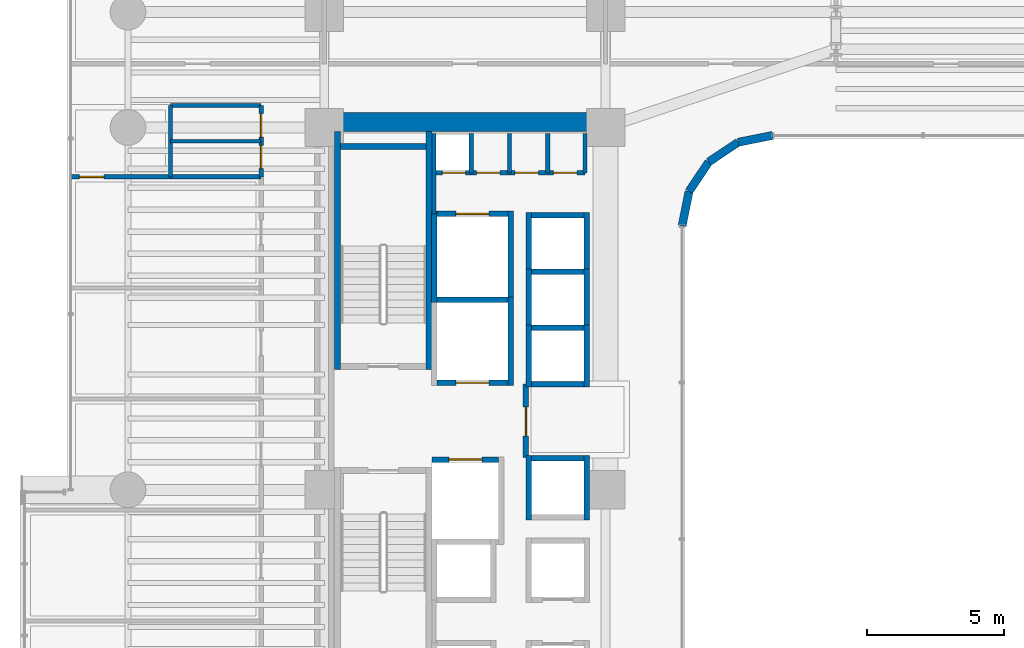
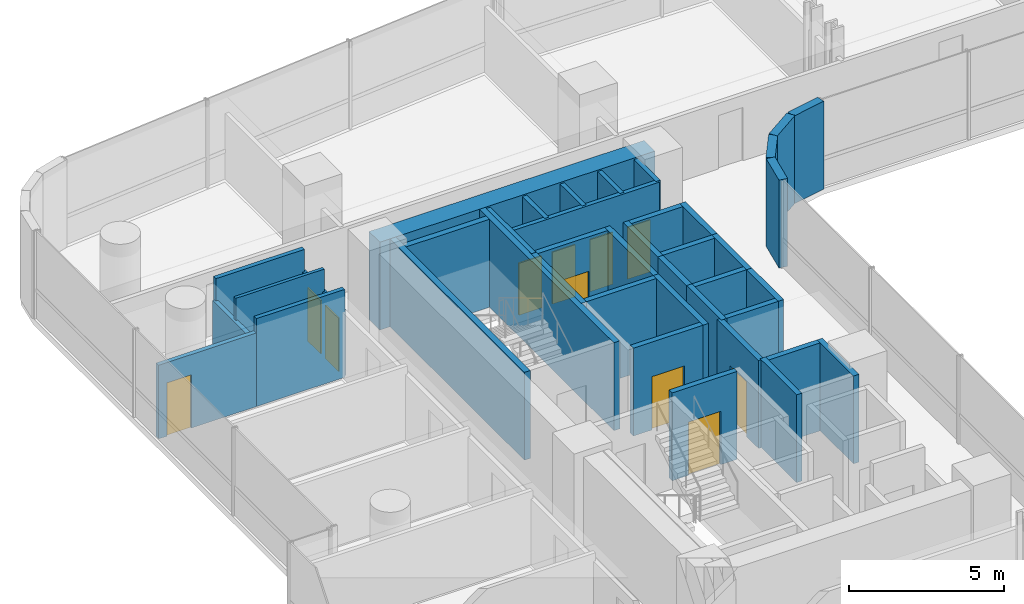
# One storey, part 31 of 39: 41 walls, 11 doors, 11 openings.
"""IFC4 building model written with IfcOpenShell, lengths in metres."""

import ifcopenshell
import ifcopenshell.guid

model = None  # the IFC model being written
_history = None  # IfcOwnerHistory: only IFC2X3 demands one
_inside = {}  # id of a spatial element -> (the spatial element, [elements in it])
_under = {}  # id of a project, library or spatial element -> (it, [spatial elements below it])
_declared = {}  # id of a project -> (the project, [libraries it declares])
_typed = {}  # id of a type object -> (the type object, [elements of that type])
_made_of = {}  # id of a material, layer set ... -> (it, [elements and type objects made of it])


def new_model(schema):
    """Start an empty IFC model of exactly this schema.

    Asked for "IFC4X3", IfcOpenShell would pick the latest addendum, in which some entities
    have other attributes; the version numbers below select the first issue.
    IFC2X3 requires an IfcOwnerHistory on every rooted entity: one is made here for all.
    """
    global model, _history
    if schema == "IFC4X3":
        model = ifcopenshell.file(schema_version=(4, 3, 0, 0))
    else:
        model = ifcopenshell.file(schema=schema)
    _inside.clear()
    _under.clear()
    _declared.clear()
    _typed.clear()
    _made_of.clear()
    _history = None
    if model.schema == "IFC2X3":
        org = make("IfcOrganization", Name="unknown")
        user = make(
            "IfcPersonAndOrganization",
            ThePerson=make("IfcPerson", FamilyName="unknown"),
            TheOrganization=org,
        )
        app = make(
            "IfcApplication",
            ApplicationDeveloper=org,
            Version="unknown",
            ApplicationFullName="unknown",
            ApplicationIdentifier="unknown",
        )
        _history = make(
            "IfcOwnerHistory",
            OwningUser=user,
            OwningApplication=app,
            ChangeAction="ADDED",
            CreationDate=0,
        )
    return model


def make(cls, **values):
    """One entity of the class cls with the attributes given. An attribute that is None is left unset."""
    return model.create_entity(
        cls, **{name: value for name, value in values.items() if value is not None}
    )


def rooted(cls, **values):
    """An entity with a GlobalId (a new one), such as an element, a storey or a relation."""
    return make(cls, GlobalId=ifcopenshell.guid.new(), OwnerHistory=_history, **values)


def si_unit(unit_type, name, prefix=None):
    """IfcSIUnit, for example si_unit("LENGTHUNIT", "METRE", prefix="MILLI")."""
    return make("IfcSIUnit", UnitType=unit_type, Prefix=prefix, Name=name)


def assignment(units):
    """IfcUnitAssignment: the units of a project."""
    return None if units is None else make("IfcUnitAssignment", Units=units)


def point(xyz):
    """IfcCartesianPoint."""
    return None if xyz is None else make("IfcCartesianPoint", Coordinates=xyz)


def direction(xyz):
    """IfcDirection."""
    return None if xyz is None else make("IfcDirection", DirectionRatios=xyz)


def frame(location, z_axis=None, x_axis=None):
    """IfcAxis2Placement3D, a coordinate frame: its origin and axes. An axis left out is left unset."""
    return make(
        "IfcAxis2Placement3D",
        Location=point(location),
        Axis=direction(z_axis),
        RefDirection=direction(x_axis),
    )


def frame_2d(location, x_axis=None):
    """IfcAxis2Placement2D, a coordinate frame in the plane: its origin and x axis."""
    return make(
        "IfcAxis2Placement2D", Location=point(location), RefDirection=direction(x_axis)
    )


def origin():
    """The frame at (0, 0, 0) with its axes left unset."""
    return frame((0.0, 0.0, 0.0))


def place(relative_to, where):
    """IfcLocalPlacement: puts the frame where relative to a parent placement (None: the world)."""
    return make(
        "IfcLocalPlacement", PlacementRelTo=relative_to, RelativePlacement=where
    )


def context(
    kind, dimensions, precision=None, world=None, true_north=None, identifier=None
):
    """IfcGeometricRepresentationContext, for example the 3D "Model" context."""
    return make(
        "IfcGeometricRepresentationContext",
        ContextIdentifier=identifier,
        ContextType=kind,
        CoordinateSpaceDimension=dimensions,
        Precision=precision,
        WorldCoordinateSystem=world,
        TrueNorth=true_north,
    )


def subcontext(parent, identifier, kind, view, scale=None):
    """IfcGeometricRepresentationSubContext, for example "Body" below "Model"."""
    return make(
        "IfcGeometricRepresentationSubContext",
        ContextIdentifier=identifier,
        ContextType=kind,
        ParentContext=parent,
        TargetScale=scale,
        TargetView=view,
    )


def project(units=None, contexts=None):
    """IfcProject with its units and contexts."""
    return rooted(
        "IfcProject",
        Name="project",
        RepresentationContexts=contexts,
        UnitsInContext=assignment(units),
    )


def spatial(cls, under=None, at=None, **own):
    """A site, building, storey or space (cls), placed at a placement, below another one or the project."""
    s = rooted(cls, ObjectPlacement=at, **own)
    if under is not None:
        _under.setdefault(under.id(), (under, []))[1].append(s)
    return s


def profile(cls, at=None, kind="AREA", **sizes):
    """A parametric profile (cls). Its sizes go by their IFC names, for example OverallWidth=200.0."""
    return make(cls, ProfileType=kind, Position=at, **sizes)


def rectangle(**sizes):
    """IfcRectangleProfileDef."""
    return profile("IfcRectangleProfileDef", **sizes)


def extrude(swept, where, along, depth):
    """IfcExtrudedAreaSolid: the profile swept, set in the frame where, extruded along a direction by depth."""
    return make(
        "IfcExtrudedAreaSolid",
        SweptArea=swept,
        Position=where,
        ExtrudedDirection=direction(along),
        Depth=depth,
    )


def shape(context_of_items, identifier, shape_type, items):
    """IfcShapeRepresentation: the items that make up one representation, for example the "Body"."""
    return make(
        "IfcShapeRepresentation",
        ContextOfItems=context_of_items,
        RepresentationIdentifier=identifier,
        RepresentationType=shape_type,
        Items=items,
    )


def material(Name=None, Category=None):
    """IfcMaterial."""
    return make("IfcMaterial", Name=Name, Category=Category)


def layer(
    of_material, thickness, ventilated=None, Name=None, Category=None, Priority=None
):
    """IfcMaterialLayer: one layer of a wall or slab, of a material (None: an air gap)."""
    return make(
        "IfcMaterialLayer",
        Material=of_material,
        LayerThickness=thickness,
        IsVentilated=ventilated,
        Name=Name,
        Category=Category,
        Priority=Priority,
    )


def layer_set(layers, Name=None):
    """IfcMaterialLayerSet."""
    return make("IfcMaterialLayerSet", MaterialLayers=layers, LayerSetName=Name)


def made_of(thing, what):
    """Note that an element or type object is made of a material, layer set ...; save() writes the relation."""
    if what is not None:
        _made_of.setdefault(what.id(), (what, []))[1].append(thing)
    return thing


def type_object(cls, material=None, **own):
    """A type object (cls), such as IfcWallType, which elements share."""
    return made_of(rooted(cls, **own), material)


def element(
    cls,
    number,
    at=None,
    inside=None,
    cuts=None,
    type_object=None,
    material=None,
    context=None,
    identifier="Body",
    shape_type=None,
    held_by="IfcProductDefinitionShape",
    body=None,
    shapes=None,
    **own,
):
    """One element of the class cls, such as IfcWall. Its Tag is "e" and its number.

    at: its placement. inside: the storey or other place that contains it. cuts: it is an
    opening in that element (IfcRelVoidsElement). A single representation is given by context,
    identifier, shape_type and body (its items); several are given by shapes. held_by: the class
    of the entity that holds the representations. save() writes the other relations.
    """
    e = rooted(cls, Tag="e%d" % number, ObjectPlacement=at, **own)
    if body is not None:
        shapes = [shape(context, identifier, shape_type, body)]
    if shapes is not None:
        e.Representation = make(held_by, Representations=shapes)
    if inside is not None:
        _inside.setdefault(inside.id(), (inside, []))[1].append(e)
    if cuts is not None:
        rooted(
            "IfcRelVoidsElement", RelatingBuildingElement=cuts, RelatedOpeningElement=e
        )
    if type_object is not None:
        _typed.setdefault(type_object.id(), (type_object, []))[1].append(e)
    return made_of(e, material)


def fill(opening, filler):
    """IfcRelFillsElement: the door or window that sits in an opening."""
    return rooted(
        "IfcRelFillsElement",
        RelatingOpeningElement=opening,
        RelatedBuildingElement=filler,
    )


def aggregate(whole, parts):
    """IfcRelAggregates: a whole, such as a stair, and the parts it consists of."""
    return rooted("IfcRelAggregates", RelatingObject=whole, RelatedObjects=parts)


def save(model, path):
    """Write the relations noted so far, then the file.

    IfcRelAggregates (storeys below a building ...), IfcRelContainedInSpatialStructure (elements
    in a storey), IfcRelDefinesByType, IfcRelAssociatesMaterial and IfcRelDeclares: one each for
    every whole, place, type object, material and project.
    """
    for whole, parts in _under.values():
        aggregate(whole, parts)
    for where, things in _inside.values():
        rooted(
            "IfcRelContainedInSpatialStructure",
            RelatedElements=things,
            RelatingStructure=where,
        )
    for kind, things in _typed.values():
        rooted("IfcRelDefinesByType", RelatedObjects=things, RelatingType=kind)
    for what, things in _made_of.values():
        rooted("IfcRelAssociatesMaterial", RelatedObjects=things, RelatingMaterial=what)
    for by, libraries in _declared.values():
        rooted("IfcRelDeclares", RelatingContext=by, RelatedDefinitions=libraries)
    model.write(path)


model = new_model("IFC4")

# Units and contexts
model_context = context("Model", 3, precision=1e-05, world=origin(), true_north=direction((0.0, 1.0)))
body_context = subcontext(model_context, "Body", "Model", "MODEL_VIEW")
ifc_project = project(units=[si_unit("LENGTHUNIT", "METRE"), si_unit("AREAUNIT", "SQUARE_METRE"), si_unit("VOLUMEUNIT", "CUBIC_METRE"), si_unit("PLANEANGLEUNIT", "RADIAN"), si_unit("MASSUNIT", "GRAM", prefix="KILO")], contexts=[model_context])

# Site, building, storey
site_placement = place(None, origin())
site = spatial("IfcSite", under=ifc_project, at=site_placement, CompositionType="ELEMENT")
building_placement = place(site_placement, origin())
building = spatial("IfcBuilding", under=site, at=building_placement, Name="Valdorenza Pilgrim Sanctuary Tower", CompositionType="ELEMENT")
storey_placement = place(building_placement, frame((0.0, 0.0, 33.39990234375)))
storey = spatial("IfcBuildingStorey", under=building, at=storey_placement, Name="L07", CompositionType="ELEMENT", Elevation=33.39990234375)

# Wall
ifc_material_1 = material(Name="Acoustic twin-stud gypsum partition", Category="gypsum")
ifc_layer_1 = layer(ifc_material_1, 0.159912109375, Name="Acoustic twin-stud gypsum partition")
ifc_layer_set_1 = layer_set([ifc_layer_1], Name="Acoustic twin-stud gypsum partition")
wall_type_1 = type_object("IfcWallType", Name="WAL-COR-160", PredefinedType="PARTITIONING", material=ifc_layer_set_1)
wall_1_placement = place(storey_placement, frame((-18.64990234375, 7.449951171875, 0.0), z_axis=(0.0, 0.0, 1.0), x_axis=(0.0, 1.0, 0.0)))
element("IfcWall", 1, at=wall_1_placement, inside=storey, type_object=wall_type_1, Name="L07 Core A North Service West Wall", PredefinedType="PARTITIONING", context=body_context, shape_type="SweptSolid", body=[
    extrude(rectangle(XDim=2.929931640625, YDim=0.159912109375, at=frame_2d((1.46484375, 0.0))), origin(), (0.0, 0.0, 1.0), 3.460205078125),
])

# Wall, openings, doors
wall_2_placement = place(storey_placement, frame((-18.64990234375, 8.949951171875, 0.0), z_axis=(0.0, 0.0, 1.0), x_axis=(1.0, 0.0, 0.0)))
wall_2 = element("IfcWall", 2, at=wall_2_placement, inside=storey, type_object=wall_type_1, Name="L07 Core A North Service South Wall", PredefinedType="PARTITIONING", context=body_context, shape_type="SweptSolid", body=[
    extrude(rectangle(XDim=5.5, YDim=0.159912109375, at=frame_2d((2.75, 0.0))), origin(), (0.0, 0.0, 1.0), 3.460205078125),
])
opening_1_placement = place(wall_2_placement, frame((0.300048828125, 0.0, 0.0)))
opening_1 = element("IfcOpeningElement", 3, at=opening_1_placement, cuts=wall_2, Name="Opening DR-RS1", PredefinedType="OPENING", context=body_context, shape_type="SweptSolid", body=[
    extrude(rectangle(XDim=0.85009765625, YDim=2.050048828125, at=frame_2d((0.425048828125, 1.02490234375))), frame((0.0, 0.0947265625, 0.0), z_axis=(0.0, -1.0, 0.0), x_axis=(1.0, 0.0, 0.0)), (0.0, 0.0, 1.0), 0.189697265625),
])
opening_2_placement = place(wall_2_placement, frame((1.550048828125, 0.0, 0.0)))
opening_2 = element("IfcOpeningElement", 4, at=opening_2_placement, cuts=wall_2, Name="Opening DR-RS1", PredefinedType="OPENING", context=body_context, shape_type="SweptSolid", body=[
    extrude(rectangle(XDim=0.85009765625, YDim=2.050048828125, at=frame_2d((0.425048828125, 1.02490234375))), frame((0.0, 0.0947265625, 0.0), z_axis=(0.0, -1.0, 0.0), x_axis=(1.0, 0.0, 0.0)), (0.0, 0.0, 1.0), 0.189697265625),
])
opening_3_placement = place(wall_2_placement, frame((2.949951171875, 0.0, 0.0)))
opening_3 = element("IfcOpeningElement", 5, at=opening_3_placement, cuts=wall_2, Name="Opening DR-RS1", PredefinedType="OPENING", context=body_context, shape_type="SweptSolid", body=[
    extrude(rectangle(XDim=0.85009765625, YDim=2.050048828125, at=frame_2d((0.425048828125, 1.02490234375))), frame((0.0, 0.0947265625, 0.0), z_axis=(0.0, -1.0, 0.0), x_axis=(1.0, 0.0, 0.0)), (0.0, 0.0, 1.0), 0.189697265625),
])
opening_4_placement = place(wall_2_placement, frame((4.35009765625, 0.0, 0.0)))
opening_4 = element("IfcOpeningElement", 6, at=opening_4_placement, cuts=wall_2, Name="Opening DR-RS1", PredefinedType="OPENING", context=body_context, shape_type="SweptSolid", body=[
    extrude(rectangle(XDim=0.85009765625, YDim=2.050048828125, at=frame_2d((0.425048828125, 1.02490234375))), frame((0.0, 0.0947265625, 0.0), z_axis=(0.0, -1.0, 0.0), x_axis=(1.0, 0.0, 0.0)), (0.0, 0.0, 1.0), 0.189697265625),
])
ifc_material_2 = material(Name="Painted galvanized steel", Category="steel")
door_type_1 = type_object("IfcDoorType", Name="DR-RSR-850", OperationType="NOTDEFINED", PredefinedType="DOOR", material=ifc_material_2)
door_1_placement = place(opening_1_placement, origin())
door_1 = element("IfcDoor", 7, at=door_1_placement, inside=storey, type_object=door_type_1, Name="L07 Core Electrical and Telecom Riser Door", OperationType="SINGLE_SWING_LEFT", OverallHeight=2.050048828125, OverallWidth=0.85009765625, PredefinedType="DOOR", context=body_context, shape_type="SweptSolid", body=[
    extrude(rectangle(XDim=0.85009765625, YDim=2.050048828125, at=frame_2d((0.425048828125, 1.02490234375))), frame((0.0, 0.02490234375, 0.0), z_axis=(0.0, -1.0, 0.0), x_axis=(1.0, 0.0, 0.0)), (0.0, 0.0, 1.0), 0.050048828125),
])
fill(opening_1, door_1)
door_2_placement = place(opening_2_placement, origin())
door_2 = element("IfcDoor", 8, at=door_2_placement, inside=storey, type_object=door_type_1, Name="L07 Housekeeping and Clean Linen Room Door", OperationType="SINGLE_SWING_RIGHT", OverallHeight=2.050048828125, OverallWidth=0.85009765625, PredefinedType="DOOR", context=body_context, shape_type="SweptSolid", body=[
    extrude(rectangle(XDim=0.85009765625, YDim=2.050048828125, at=frame_2d((0.425048828125, 1.02490234375))), frame((0.0, 0.02490234375, 0.0), z_axis=(0.0, -1.0, 0.0), x_axis=(1.0, 0.0, 0.0)), (0.0, 0.0, 1.0), 0.050048828125),
])
fill(opening_2, door_2)
door_3_placement = place(opening_3_placement, origin())
door_3 = element("IfcDoor", 9, at=door_3_placement, inside=storey, type_object=door_type_1, Name="L07 Core IT Server Closet Door", OperationType="SINGLE_SWING_LEFT", OverallHeight=2.050048828125, OverallWidth=0.85009765625, PredefinedType="DOOR", context=body_context, shape_type="SweptSolid", body=[
    extrude(rectangle(XDim=0.85009765625, YDim=2.050048828125, at=frame_2d((0.425048828125, 1.02490234375))), frame((0.0, 0.02490234375, 0.0), z_axis=(0.0, -1.0, 0.0), x_axis=(1.0, 0.0, 0.0)), (0.0, 0.0, 1.0), 0.050048828125),
])
fill(opening_3, door_3)
door_4_placement = place(opening_4_placement, origin())
door_4 = element("IfcDoor", 10, at=door_4_placement, inside=storey, type_object=door_type_1, Name="L07 Core Staff Washroom Door", OperationType="SINGLE_SWING_RIGHT", OverallHeight=2.050048828125, OverallWidth=0.85009765625, PredefinedType="DOOR", context=body_context, shape_type="SweptSolid", body=[
    extrude(rectangle(XDim=0.85009765625, YDim=2.050048828125, at=frame_2d((0.425048828125, 1.02490234375))), frame((0.0, 0.02490234375, 0.0), z_axis=(0.0, -1.0, 0.0), x_axis=(1.0, 0.0, 0.0)), (0.0, 0.0, 1.0), 0.050048828125),
])
fill(opening_4, door_4)

# Walls
for number, where, z_axis, x_axis, name in (
    (11, (-13.14990234375, 8.949951171875, 0.0), (0.0, 0.0, 1.0), (0.0, 1.0, 0.0), "L07 Core A North Service East Wall"),
    (12, (-17.300048828125, 8.949951171875, 0.0), (0.0, 0.0, 1.0), (0.0, 1.0, 0.0), "L07 Core Electrical Riser Wall"),
    (13, (-15.89990234375, 8.949951171875, 0.0), (0.0, 0.0, 1.0), (0.0, 1.0, 0.0), "L07 Core A Split D1"),
    (14, (-14.5, 8.949951171875, 0.0), (0.0, 0.0, 1.0), (0.0, 1.0, 0.0), "L07 Core A Split D2"),
):
    element("IfcWall", number, at=place(storey_placement, frame(where, z_axis=z_axis, x_axis=x_axis)), inside=storey, type_object=wall_type_1, Name=name, PredefinedType="PARTITIONING", context=body_context, shape_type="SweptSolid", body=[
        extrude(rectangle(XDim=1.429931640625, YDim=0.159912109375, at=frame_2d((0.71484375, 0.0))), origin(), (0.0, 0.0, 1.0), 3.460205078125),
    ])
wall_3_placement = place(storey_placement, frame((-28.25, 8.800048828125, 0.0), z_axis=(0.0, 0.0, 1.0), x_axis=(0.0, 1.0, 0.0)))
element("IfcWall", 15, at=wall_3_placement, inside=storey, type_object=wall_type_1, Name="L07 Washroom West Wall", PredefinedType="PARTITIONING", context=body_context, shape_type="SweptSolid", body=[
    extrude(rectangle(XDim=2.599853515625, YDim=0.159912109375, at=frame_2d((1.2998046875, 0.0))), origin(), (0.0, 0.0, 1.0), 2.5830078125),
])

# Wall, openings, doors
wall_4_placement = place(storey_placement, frame((-24.949951171875, 8.800048828125, 0.0), z_axis=(0.0, 0.0, 1.0), x_axis=(0.0, 1.0, 0.0)))
wall_4 = element("IfcWall", 16, at=wall_4_placement, inside=storey, type_object=wall_type_1, Name="L07 Washroom East Wall", PredefinedType="PARTITIONING", context=body_context, shape_type="SweptSolid", body=[
    extrude(rectangle(XDim=2.599853515625, YDim=0.159912109375, at=frame_2d((1.2998046875, 0.0))), origin(), (0.0, 0.0, 1.0), 2.5830078125),
])
opening_5_placement = place(wall_4_placement, frame((0.300048828125, 0.0, 0.0)))
opening_5 = element("IfcOpeningElement", 17, at=opening_5_placement, cuts=wall_4, Name="Opening DR-WC1", PredefinedType="OPENING", context=body_context, shape_type="SweptSolid", body=[
    extrude(rectangle(XDim=0.85009765625, YDim=2.10009765625, at=frame_2d((0.425048828125, 1.050048828125))), frame((0.0, 0.0947265625, 0.0), z_axis=(0.0, -1.0, 0.0), x_axis=(1.0, 0.0, 0.0)), (0.0, 0.0, 1.0), 0.189697265625),
])
opening_6_placement = place(wall_4_placement, frame((1.449951171875, 0.0, 0.0)))
opening_6 = element("IfcOpeningElement", 18, at=opening_6_placement, cuts=wall_4, Name="Opening DR-WC1", PredefinedType="OPENING", context=body_context, shape_type="SweptSolid", body=[
    extrude(rectangle(XDim=0.85009765625, YDim=2.10009765625, at=frame_2d((0.425048828125, 1.050048828125))), frame((0.0, 0.0947265625, 0.0), z_axis=(0.0, -1.0, 0.0), x_axis=(1.0, 0.0, 0.0)), (0.0, 0.0, 1.0), 0.189697265625),
])
ifc_material_3 = material(Name="Moisture-resistant lacquered timber", Category="wood")
door_type_2 = type_object("IfcDoorType", Name="DR-BATH-850", OperationType="NOTDEFINED", PredefinedType="DOOR", material=ifc_material_3)
door_5_placement = place(opening_5_placement, origin())
door_5 = element("IfcDoor", 19, at=door_5_placement, inside=storey, type_object=door_type_2, Name="L07 Accessible Washroom Door", OperationType="SINGLE_SWING_LEFT", OverallHeight=2.10009765625, OverallWidth=0.85009765625, PredefinedType="DOOR", context=body_context, shape_type="SweptSolid", body=[
    extrude(rectangle(XDim=0.85009765625, YDim=2.10009765625, at=frame_2d((0.425048828125, 1.050048828125))), frame((0.0, 0.02490234375, 0.0), z_axis=(0.0, -1.0, 0.0), x_axis=(1.0, 0.0, 0.0)), (0.0, 0.0, 1.0), 0.050048828125),
])
fill(opening_5, door_5)
door_6_placement = place(opening_6_placement, origin())
door_6 = element("IfcDoor", 20, at=door_6_placement, inside=storey, type_object=door_type_2, Name="L07 Public Washroom Door", OperationType="SINGLE_SWING_RIGHT", OverallHeight=2.10009765625, OverallWidth=0.85009765625, PredefinedType="DOOR", context=body_context, shape_type="SweptSolid", body=[
    extrude(rectangle(XDim=0.85009765625, YDim=2.10009765625, at=frame_2d((0.425048828125, 1.050048828125))), frame((0.0, 0.02490234375, 0.0), z_axis=(0.0, -1.0, 0.0), x_axis=(1.0, 0.0, 0.0)), (0.0, 0.0, 1.0), 0.050048828125),
])
fill(opening_6, door_6)

# Walls
for number, where, z_axis, x_axis, name in (
    (21, (-28.25, 8.800048828125, 0.0), (0.0, 0.0, 1.0), (1.0, 0.0, 0.0), "L07 Washroom South Wall"),
    (22, (-28.25, 11.39990234375, 0.0), (0.0, 0.0, 1.0), (1.0, 0.0, 0.0), "L07 Washroom North Wall"),
):
    element("IfcWall", number, at=place(storey_placement, frame(where, z_axis=z_axis, x_axis=x_axis)), inside=storey, type_object=wall_type_1, Name=name, PredefinedType="PARTITIONING", context=body_context, shape_type="SweptSolid", body=[
        extrude(rectangle(XDim=3.300048828125, YDim=0.159912109375, at=frame_2d((1.64990234375, 0.0))), origin(), (0.0, 0.0, 1.0), 3.460205078125),
    ])

# Wall, opening, door
wall_5_placement = place(storey_placement, frame((-31.889892578125, 8.800048828125, 0.0), z_axis=(0.0, 0.0, 1.0), x_axis=(1.0, 0.0, 0.0)))
wall_5 = element("IfcWall", 23, at=wall_5_placement, inside=storey, type_object=wall_type_1, Name="L07 West North Alcove Wall", PredefinedType="PARTITIONING", context=body_context, shape_type="SweptSolid", body=[
    extrude(rectangle(XDim=3.639892578125, YDim=0.159912109375, at=frame_2d((1.81982421875, 0.0))), origin(), (0.0, 0.0, 1.0), 2.89599609375),
])
opening_7_placement = place(wall_5_placement, frame((0.320068359375, 0.0, 0.0)))
opening_7 = element("IfcOpeningElement", 24, at=opening_7_placement, cuts=wall_5, Name="Opening DR-RM1", PredefinedType="OPENING", context=body_context, shape_type="SweptSolid", body=[
    extrude(rectangle(XDim=0.89990234375, YDim=2.10009765625, at=frame_2d((0.449951171875, 1.050048828125))), frame((0.0, 0.0947265625, 0.0), z_axis=(0.0, -1.0, 0.0), x_axis=(1.0, 0.0, 0.0)), (0.0, 0.0, 1.0), 0.189697265625),
])
ifc_material_4 = material(Name="Solid-core European oak timber", Category="wood")
door_type_3 = type_object("IfcDoorType", Name="DR-ROOM-900", OperationType="NOTDEFINED", PredefinedType="DOOR", material=ifc_material_4)
door_7_placement = place(opening_7_placement, frame((0.89990234375, 0.0, 0.0), z_axis=(0.0, 0.0, 1.0), x_axis=(-1.0, 0.0, 0.0)))
door_7 = element("IfcDoor", 25, at=door_7_placement, inside=storey, type_object=door_type_3, Name="L07 Pilgrim Scholar Office L07-WN Door", OperationType="SINGLE_SWING_LEFT", OverallHeight=2.10009765625, OverallWidth=0.89990234375, PredefinedType="DOOR", context=body_context, shape_type="SweptSolid", body=[
    extrude(rectangle(XDim=0.89990234375, YDim=2.10009765625, at=frame_2d((0.449951171875, 1.050048828125))), frame((0.0, 0.02490234375, 0.0), z_axis=(0.0, -1.0, 0.0), x_axis=(1.0, 0.0, 0.0)), (0.0, 0.0, 1.0), 0.050048828125),
])
fill(opening_7, door_7)

# Walls
ifc_material_5 = material(Name="Concrete C60/75", Category="concrete")
ifc_layer_2 = layer(ifc_material_5, 0.699951171875, Name="Concrete C60/75")
ifc_layer_set_2 = layer_set([ifc_layer_2], Name="Concrete C60/75")
wall_type_2 = type_object("IfcWallType", Name="WAL-COR-700", PredefinedType="SHEAR", material=ifc_layer_set_2)
wall_6_placement = place(storey_placement, frame((-22.64990234375, 10.800048828125, 0.0), z_axis=(0.0, 0.0, 1.0), x_axis=(1.0, 0.0, 0.0)))
element("IfcWall", 26, at=wall_6_placement, inside=storey, type_object=wall_type_2, Name="L07 Split Core A Shear Wall N", PredefinedType="SHEAR", context=body_context, shape_type="SweptSolid", body=[
    extrude(rectangle(XDim=10.25, YDim=0.699951171875, at=frame_2d((5.125, 0.0))), origin(), (0.0, 0.0, 1.0), 3.460205078125),
])
ifc_material_6 = material(Name="Honed travertine limestone", Category="masonry")
ifc_layer_3 = layer(ifc_material_6, 0.300048828125, Name="Honed travertine limestone")
ifc_layer_set_3 = layer_set([ifc_layer_3], Name="Honed travertine limestone")
wall_type_3 = type_object("IfcWallType", Name="WAL-EXT-300", PredefinedType="SOLIDWALL", material=ifc_layer_set_3)
wall_7_placement = place(storey_placement, frame((-6.310791015625, 10.31005859375, 0.0), z_axis=(0.0, 0.0, 1.0), x_axis=(-0.980778058848, -0.195126623715, 0.0)))
element("IfcWall", 27, at=wall_7_placement, inside=storey, type_object=wall_type_3, Name="L07 Rounded Wind-Corner Stone Pier 37", PredefinedType="SOLIDWALL", context=body_context, shape_type="SweptSolid", body=[
    extrude(rectangle(XDim=1.28125, YDim=0.300048828125, at=frame_2d((0.640625, 0.0))), origin(), (0.0, 0.0, 1.0), 3.460205078125),
])
wall_8_placement = place(storey_placement, frame((-7.5673828125, 10.06005859375, 0.0), z_axis=(0.0, 0.0, 1.0), x_axis=(-0.831497739511, -0.555528135371, 0.0)))
element("IfcWall", 28, at=wall_8_placement, inside=storey, type_object=wall_type_3, Name="L07 Rounded Wind-Corner Stone Pier 38", PredefinedType="SOLIDWALL", context=body_context, shape_type="SweptSolid", body=[
    extrude(rectangle(XDim=1.29248046875, YDim=0.300048828125, at=frame_2d((0.646240234375, 0.0))), origin(), (0.0, 0.0, 1.0), 3.460205078125),
])
wall_9_placement = place(storey_placement, frame((-8.64208984375, 9.342041015625, 0.0), z_axis=(0.0, 0.0, 1.0), x_axis=(-0.555615398575, -0.831439431869, 0.0)))
element("IfcWall", 29, at=wall_9_placement, inside=storey, type_object=wall_type_3, Name="L07 Rounded Wind-Corner Stone Pier 39", PredefinedType="SOLIDWALL", context=body_context, shape_type="SweptSolid", body=[
    extrude(rectangle(XDim=1.292236328125, YDim=0.300048828125, at=frame_2d((0.64599609375, 0.0))), origin(), (0.0, 0.0, 1.0), 3.460205078125),
])
wall_10_placement = place(storey_placement, frame((-9.360107421875, 8.267578125, 0.0), z_axis=(0.0, 0.0, 1.0), x_axis=(-0.195090163074, -0.980785312019, 0.0)))
element("IfcWall", 30, at=wall_10_placement, inside=storey, type_object=wall_type_3, Name="L07 Rounded Wind-Corner Stone Pier 40", PredefinedType="SOLIDWALL", context=body_context, shape_type="SweptSolid", body=[
    extrude(rectangle(XDim=1.281494140625, YDim=0.300048828125, at=frame_2d((0.640625, 0.0))), origin(), (0.0, 0.0, 1.0), 3.460205078125),
])

# Wall, opening, door
ifc_material_7 = material(Name="Gypsum shaftwall partition", Category="gypsum")
ifc_layer_4 = layer(ifc_material_7, 0.199951171875, Name="Gypsum shaftwall partition")
ifc_layer_set_4 = layer_set([ifc_layer_4], Name="Gypsum shaftwall partition")
wall_type_4 = type_object("IfcWallType", Name="WAL-FFL-200", PredefinedType="PARTITIONING", material=ifc_layer_set_4)
wall_11_placement = place(storey_placement, frame((-15.300048828125, -1.419921875, 0.0), z_axis=(0.0, 0.0, 1.0), x_axis=(0.0, 1.0, 0.0)))
wall_11 = element("IfcWall", 31, at=wall_11_placement, inside=storey, type_object=wall_type_4, Name="L07 Core A Firefighting Lobby East Wall", PredefinedType="PARTITIONING", context=body_context, shape_type="SweptSolid", body=[
    extrude(rectangle(XDim=2.669921875, YDim=0.199951171875, at=frame_2d((1.3349609375, 0.0))), origin(), (0.0, 0.0, 1.0), 3.460205078125),
])
opening_8_placement = place(wall_11_placement, frame((0.780029296875, 0.0, 0.0)))
opening_8 = element("IfcOpeningElement", 32, at=opening_8_placement, cuts=wall_11, Name="Opening DR-FL1", PredefinedType="OPENING", context=body_context, shape_type="SweptSolid", body=[
    extrude(rectangle(XDim=1.050048828125, YDim=2.14990234375, at=frame_2d((0.52490234375, 1.074951171875))), frame((0.0, 0.11474609375, 0.0), z_axis=(0.0, -1.0, 0.0), x_axis=(1.0, 0.0, 0.0)), (0.0, 0.0, 1.0), 0.229736328125),
])
door_type_4 = type_object("IfcDoorType", Name="DR-FFL-1050", OperationType="NOTDEFINED", PredefinedType="DOOR", material=ifc_material_2)
door_8_placement = place(opening_8_placement, origin())
door_8 = element("IfcDoor", 33, at=door_8_placement, inside=storey, type_object=door_type_4, Name="L07 Core A Firefighting Lobby Door", OperationType="SINGLE_SWING_RIGHT", OverallHeight=2.14990234375, OverallWidth=1.050048828125, PredefinedType="DOOR", context=body_context, shape_type="SweptSolid", body=[
    extrude(rectangle(XDim=1.050048828125, YDim=2.14990234375, at=frame_2d((0.52490234375, 1.074951171875))), frame((0.0, 0.02490234375, 0.0), z_axis=(0.0, -1.0, 0.0), x_axis=(1.0, 0.0, 0.0)), (0.0, 0.0, 1.0), 0.050048828125),
])
fill(opening_8, door_8)

# Walls
ifc_material_8 = material(Name="Moisture-resistant gypsum partition", Category="gypsum")
ifc_layer_5 = layer(ifc_material_8, 0.1201171875, Name="Moisture-resistant gypsum partition")
ifc_layer_set_5 = layer_set([ifc_layer_5], Name="Moisture-resistant gypsum partition")
wall_type_5 = type_object("IfcWallType", Name="WAL-INT-120", PredefinedType="PARTITIONING", material=ifc_layer_set_5)
wall_12_placement = place(storey_placement, frame((-28.25, 10.10009765625, 0.0), z_axis=(0.0, 0.0, 1.0), x_axis=(1.0, 0.0, 0.0)))
element("IfcWall", 34, at=wall_12_placement, inside=storey, type_object=wall_type_5, Name="L07 Washroom Divider Wall", PredefinedType="PARTITIONING", context=body_context, shape_type="SweptSolid", body=[
    extrude(rectangle(XDim=3.300048828125, YDim=0.1201171875, at=frame_2d((1.64990234375, 0.0))), origin(), (0.0, 0.0, 1.0), 3.460205078125),
])
ifc_material_9 = material(Name="Autoclaved aerated concrete blockwork", Category="masonry")
ifc_layer_6 = layer(ifc_material_9, 0.199951171875, Name="Autoclaved aerated concrete blockwork")
ifc_layer_set_6 = layer_set([ifc_layer_6], Name="Autoclaved aerated concrete blockwork")
wall_type_6 = type_object("IfcWallType", Name="WAL-SHF-200", PredefinedType="MOVABLE", material=ifc_layer_set_6)
wall_13_placement = place(storey_placement, frame((-15.85009765625, 1.199951171875, 0.0), z_axis=(0.0, 0.0, 1.0), x_axis=(0.0, 1.0, 0.0)))
element("IfcWall", 35, at=wall_13_placement, inside=storey, type_object=wall_type_6, Name="L07 Lift FFL-01 Hoistway Wall East", PredefinedType="MOVABLE", context=body_context, shape_type="SweptSolid", body=[
    extrude(rectangle(XDim=3.22509765625, YDim=0.199951171875, at=frame_2d((1.612548828125, 0.0))), origin(), (0.0, 0.0, 1.0), 3.460205078125),
])

# Wall, opening, door
wall_14_placement = place(storey_placement, frame((-18.550048828125, 1.300048828125, 0.0), z_axis=(0.0, 0.0, 1.0), x_axis=(1.0, 0.0, 0.0)))
wall_14 = element("IfcWall", 36, at=wall_14_placement, inside=storey, type_object=wall_type_6, Name="L07 Lift FFL-01 Hoistway Wall South", PredefinedType="MOVABLE", context=body_context, shape_type="SweptSolid", body=[
    extrude(rectangle(XDim=2.60009765625, YDim=0.199951171875, at=frame_2d((1.300048828125, 0.0))), origin(), (0.0, 0.0, 1.0), 3.460205078125),
])
opening_9_placement = place(wall_14_placement, frame((0.699951171875, 0.0, 0.0)))
opening_9 = element("IfcOpeningElement", 37, at=opening_9_placement, cuts=wall_14, Name="Opening LD-02", PredefinedType="OPENING", context=body_context, shape_type="SweptSolid", body=[
    extrude(rectangle(XDim=1.199951171875, YDim=2.10009765625, at=frame_2d((0.60009765625, 1.050048828125))), frame((0.0, 0.11474609375, 0.0), z_axis=(0.0, -1.0, 0.0), x_axis=(1.0, 0.0, 0.0)), (0.0, 0.0, 1.0), 0.229736328125),
])
ifc_material_10 = material(Name="Brushed stainless steel Grade 316", Category="steel")
door_type_5 = type_object("IfcDoorType", Name="DR-LFT-1200", OperationType="DOUBLE_DOOR_SLIDING", PredefinedType="DOOR", material=ifc_material_10)
door_9_placement = place(opening_9_placement, origin())
door_9 = element("IfcDoor", 38, at=door_9_placement, inside=storey, type_object=door_type_5, Name="L07 Lift FFL-01 Sliding Landing Door", OperationType="DOUBLE_DOOR_SLIDING", OverallHeight=2.10009765625, OverallWidth=1.199951171875, PredefinedType="DOOR", context=body_context, shape_type="SweptSolid", body=[
    extrude(rectangle(XDim=1.199951171875, YDim=2.10009765625, at=frame_2d((0.60009765625, 1.050048828125))), frame((0.0, 0.02490234375, 0.0), z_axis=(0.0, -1.0, 0.0), x_axis=(1.0, 0.0, 0.0)), (0.0, 0.0, 1.0), 0.050048828125),
])
fill(opening_9, door_9)

# Wall
wall_15_placement = place(storey_placement, frame((-18.550048828125, 4.324951171875, 0.0), z_axis=(0.0, 0.0, 1.0), x_axis=(1.0, 0.0, 0.0)))
element("IfcWall", 39, at=wall_15_placement, inside=storey, type_object=wall_type_6, Name="L07 Lift FFL-01 Hoistway Wall North", PredefinedType="MOVABLE", context=body_context, shape_type="SweptSolid", body=[
    extrude(rectangle(XDim=2.60009765625, YDim=0.199951171875, at=frame_2d((1.300048828125, 0.0))), origin(), (0.0, 0.0, 1.0), 3.460205078125),
])

# Wall, opening, door
wall_16_placement = place(storey_placement, frame((-18.719970703125, -1.5, 0.0), z_axis=(0.0, 0.0, 1.0), x_axis=(1.0, 0.0, 0.0)))
wall_16 = element("IfcWall", 40, at=wall_16_placement, inside=storey, type_object=wall_type_6, Name="L07 Lift FFL-02 Hoistway Wall North", PredefinedType="MOVABLE", context=body_context, shape_type="SweptSolid", body=[
    extrude(rectangle(XDim=2.419921875, YDim=0.199951171875, at=frame_2d((1.2099609375, 0.0))), origin(), (0.0, 0.0, 1.0), 3.460205078125),
])
opening_10_placement = place(wall_16_placement, frame((0.610107421875, 0.0, 0.0)))
opening_10 = element("IfcOpeningElement", 41, at=opening_10_placement, cuts=wall_16, Name="Opening LD-02", PredefinedType="OPENING", context=body_context, shape_type="SweptSolid", body=[
    extrude(rectangle(XDim=1.199951171875, YDim=2.10009765625, at=frame_2d((0.60009765625, 1.050048828125))), frame((0.0, 0.11474609375, 0.0), z_axis=(0.0, -1.0, 0.0), x_axis=(1.0, 0.0, 0.0)), (0.0, 0.0, 1.0), 0.229736328125),
])
door_10_placement = place(opening_10_placement, origin())
door_10 = element("IfcDoor", 42, at=door_10_placement, inside=storey, type_object=door_type_5, Name="L07 Lift FFL-02 Sliding Landing Door", OperationType="DOUBLE_DOOR_SLIDING", OverallHeight=2.10009765625, OverallWidth=1.199951171875, PredefinedType="DOOR", context=body_context, shape_type="SweptSolid", body=[
    extrude(rectangle(XDim=1.199951171875, YDim=2.10009765625, at=frame_2d((0.60009765625, 1.050048828125))), frame((0.0, 0.02490234375, 0.0), z_axis=(0.0, -1.0, 0.0), x_axis=(1.0, 0.0, 0.0)), (0.0, 0.0, 1.0), 0.050048828125),
])
fill(opening_10, door_10)

# Walls
for number, where, z_axis, x_axis, name in (
    (43, (-18.64990234375, 4.22509765625, 0.0), (0.0, 0.0, 1.0), (0.0, 1.0, 0.0), "L07 Lift SVL-01 Hoistway Wall West"),
    (44, (-15.85009765625, 4.22509765625, 0.0), (0.0, 0.0, 1.0), (0.0, 1.0, 0.0), "L07 Lift SVL-01 Hoistway Wall East"),
):
    element("IfcWall", number, at=place(storey_placement, frame(where, z_axis=z_axis, x_axis=x_axis)), inside=storey, type_object=wall_type_6, Name=name, PredefinedType="MOVABLE", context=body_context, shape_type="SweptSolid", body=[
        extrude(rectangle(XDim=3.324951171875, YDim=0.199951171875, at=frame_2d((1.66259765625, 0.0))), origin(), (0.0, 0.0, 1.0), 3.460205078125),
    ])

# Wall, opening, door
wall_17_placement = place(storey_placement, frame((-18.550048828125, 7.449951171875, 0.0), z_axis=(0.0, 0.0, 1.0), x_axis=(1.0, 0.0, 0.0)))
wall_17 = element("IfcWall", 45, at=wall_17_placement, inside=storey, type_object=wall_type_6, Name="L07 Lift SVL-01 Hoistway Wall North", PredefinedType="MOVABLE", context=body_context, shape_type="SweptSolid", body=[
    extrude(rectangle(XDim=2.60009765625, YDim=0.199951171875, at=frame_2d((1.300048828125, 0.0))), origin(), (0.0, 0.0, 1.0), 3.460205078125),
])
opening_11_placement = place(wall_17_placement, frame((0.699951171875, 0.0, 0.0)))
opening_11 = element("IfcOpeningElement", 46, at=opening_11_placement, cuts=wall_17, Name="Opening LD-02", PredefinedType="OPENING", context=body_context, shape_type="SweptSolid", body=[
    extrude(rectangle(XDim=1.199951171875, YDim=2.10009765625, at=frame_2d((0.60009765625, 1.050048828125))), frame((0.0, 0.11474609375, 0.0), z_axis=(0.0, -1.0, 0.0), x_axis=(1.0, 0.0, 0.0)), (0.0, 0.0, 1.0), 0.229736328125),
])
door_11_placement = place(opening_11_placement, origin())
door_11 = element("IfcDoor", 47, at=door_11_placement, inside=storey, type_object=door_type_5, Name="L07 Lift SVL-01 Sliding Landing Door", OperationType="DOUBLE_DOOR_SLIDING", OverallHeight=2.10009765625, OverallWidth=1.199951171875, PredefinedType="DOOR", context=body_context, shape_type="SweptSolid", body=[
    extrude(rectangle(XDim=1.199951171875, YDim=2.10009765625, at=frame_2d((0.60009765625, 1.050048828125))), frame((0.0, 0.02490234375, 0.0), z_axis=(0.0, -1.0, 0.0), x_axis=(1.0, 0.0, 0.0)), (0.0, 0.0, 1.0), 0.050048828125),
])
fill(opening_11, door_11)

# Walls
for number, where, z_axis, x_axis, name in (
    (48, (-15.199951171875, 1.14990234375, 0.0), (0.0, 0.0, 1.0), (0.0, 1.0, 0.0), "L07 Lift PL-06 Hoistway Wall West"),
    (49, (-13.080078125, 1.14990234375, 0.0), (0.0, 0.0, 1.0), (0.0, 1.0, 0.0), "L07 Lift PL-06 Hoistway Wall East"),
):
    element("IfcWall", number, at=place(storey_placement, frame(where, z_axis=z_axis, x_axis=x_axis)), inside=storey, type_object=wall_type_6, Name=name, PredefinedType="MOVABLE", context=body_context, shape_type="SweptSolid", body=[
        extrude(rectangle(XDim=2.25, YDim=0.199951171875, at=frame_2d((1.125, 0.0))), origin(), (0.0, 0.0, 1.0), 3.460205078125),
    ])
wall_18_placement = place(storey_placement, frame((-15.10009765625, 1.25, 0.0), z_axis=(0.0, 0.0, 1.0), x_axis=(1.0, 0.0, 0.0)))
element("IfcWall", 50, at=wall_18_placement, inside=storey, type_object=wall_type_6, Name="L07 Lift PL-06 Hoistway Wall South", PredefinedType="MOVABLE", context=body_context, shape_type="SweptSolid", body=[
    extrude(rectangle(XDim=1.920166015625, YDim=0.199951171875, at=frame_2d((0.9599609375, 0.0))), origin(), (0.0, 0.0, 1.0), 3.460205078125),
])
for number, where, z_axis, x_axis, name in (
    (51, (-15.199951171875, 3.199951171875, 0.0), (0.0, 0.0, 1.0), (0.0, 1.0, 0.0), "L07 Lift PL-09 Hoistway Wall West"),
    (52, (-13.080078125, 3.199951171875, 0.0), (0.0, 0.0, 1.0), (0.0, 1.0, 0.0), "L07 Lift PL-09 Hoistway Wall East"),
):
    element("IfcWall", number, at=place(storey_placement, frame(where, z_axis=z_axis, x_axis=x_axis)), inside=storey, type_object=wall_type_6, Name=name, PredefinedType="MOVABLE", context=body_context, shape_type="SweptSolid", body=[
        extrude(rectangle(XDim=2.25, YDim=0.199951171875, at=frame_2d((1.125, 0.0))), origin(), (0.0, 0.0, 1.0), 3.460205078125),
    ])
for number, where, z_axis, x_axis, name in (
    (53, (-15.10009765625, 3.300048828125, 0.0), (0.0, 0.0, 1.0), (1.0, 0.0, 0.0), "L07 Lift PL-09 Hoistway Wall South"),
    (54, (-15.10009765625, 5.35009765625, 0.0), (0.0, 0.0, 1.0), (1.0, 0.0, 0.0), "L07 Lift PL-09 Hoistway Wall North"),
):
    element("IfcWall", number, at=place(storey_placement, frame(where, z_axis=z_axis, x_axis=x_axis)), inside=storey, type_object=wall_type_6, Name=name, PredefinedType="MOVABLE", context=body_context, shape_type="SweptSolid", body=[
        extrude(rectangle(XDim=1.920166015625, YDim=0.199951171875, at=frame_2d((0.9599609375, 0.0))), origin(), (0.0, 0.0, 1.0), 3.460205078125),
    ])
for number, where, z_axis, x_axis, name in (
    (55, (-15.199951171875, 5.25, 0.0), (0.0, 0.0, 1.0), (0.0, 1.0, 0.0), "L07 Lift PL-10 Hoistway Wall West"),
    (56, (-13.080078125, 5.25, 0.0), (0.0, 0.0, 1.0), (0.0, 1.0, 0.0), "L07 Lift PL-10 Hoistway Wall East"),
):
    element("IfcWall", number, at=place(storey_placement, frame(where, z_axis=z_axis, x_axis=x_axis)), inside=storey, type_object=wall_type_6, Name=name, PredefinedType="MOVABLE", context=body_context, shape_type="SweptSolid", body=[
        extrude(rectangle(XDim=2.25, YDim=0.199951171875, at=frame_2d((1.125, 0.0))), origin(), (0.0, 0.0, 1.0), 3.460205078125),
    ])
wall_19_placement = place(storey_placement, frame((-15.10009765625, 7.39990234375, 0.0), z_axis=(0.0, 0.0, 1.0), x_axis=(1.0, 0.0, 0.0)))
element("IfcWall", 57, at=wall_19_placement, inside=storey, type_object=wall_type_6, Name="L07 Lift PL-10 Hoistway Wall North", PredefinedType="MOVABLE", context=body_context, shape_type="SweptSolid", body=[
    extrude(rectangle(XDim=1.920166015625, YDim=0.199951171875, at=frame_2d((0.9599609375, 0.0))), origin(), (0.0, 0.0, 1.0), 3.460205078125),
])
for number, where, z_axis, x_axis, name in (
    (58, (-15.199951171875, -3.699951171875, 0.0), (0.0, 0.0, 1.0), (0.0, 1.0, 0.0), "L07 Lift PL-12 Hoistway Wall West"),
    (59, (-13.080078125, -3.699951171875, 0.0), (0.0, 0.0, 1.0), (0.0, 1.0, 0.0), "L07 Lift PL-12 Hoistway Wall East"),
):
    element("IfcWall", number, at=place(storey_placement, frame(where, z_axis=z_axis, x_axis=x_axis)), inside=storey, type_object=wall_type_6, Name=name, PredefinedType="MOVABLE", context=body_context, shape_type="SweptSolid", body=[
        extrude(rectangle(XDim=2.349853515625, YDim=0.199951171875, at=frame_2d((1.1748046875, 0.0))), origin(), (0.0, 0.0, 1.0), 3.460205078125),
    ])
wall_20_placement = place(storey_placement, frame((-15.10009765625, -1.449951171875, 0.0), z_axis=(0.0, 0.0, 1.0), x_axis=(1.0, 0.0, 0.0)))
element("IfcWall", 60, at=wall_20_placement, inside=storey, type_object=wall_type_6, Name="L07 Lift PL-12 Hoistway Wall North", PredefinedType="MOVABLE", context=body_context, shape_type="SweptSolid", body=[
    extrude(rectangle(XDim=1.920166015625, YDim=0.199951171875, at=frame_2d((0.9599609375, 0.0))), origin(), (0.0, 0.0, 1.0), 3.460205078125),
])
ifc_material_11 = material(Name="Concrete C40/50", Category="concrete")
ifc_layer_7 = layer(ifc_material_11, 0.219970703125, Name="Concrete C40/50")
ifc_layer_set_7 = layer_set([ifc_layer_7], Name="Concrete C40/50")
wall_type_7 = type_object("IfcWallType", Name="WAL-STR-SHF-220", PredefinedType="SHEAR", material=ifc_layer_set_7)
for number, where, z_axis, x_axis, name in (
    (61, (-22.159912109375, 1.780029296875, 0.0), (0.0, 0.0, 1.0), (0.0, 1.0, 0.0), "L07 ST-A1 Structural Stairwell Wall W"),
    (62, (-18.830078125, 1.780029296875, 0.0), (0.0, 0.0, 1.0), (0.0, 1.0, 0.0), "L07 ST-A1 Structural Stairwell Wall E"),
):
    element("IfcWall", number, at=place(storey_placement, frame(where, z_axis=z_axis, x_axis=x_axis)), inside=storey, type_object=wall_type_7, Name=name, PredefinedType="SHEAR", context=body_context, shape_type="SweptSolid", body=[
        extrude(rectangle(XDim=8.669921875, YDim=0.219970703125, at=frame_2d((4.3349609375, 0.0))), origin(), (0.0, 0.0, 1.0), 3.460205078125),
    ])
wall_21_placement = place(storey_placement, frame((-22.050048828125, 9.909912109375, 0.0), z_axis=(0.0, 0.0, 1.0), x_axis=(1.0, 0.0, 0.0)))
element("IfcWall", 63, at=wall_21_placement, inside=storey, type_object=wall_type_7, Name="L07 ST-A1 Structural Stairwell Wall N", PredefinedType="SHEAR", context=body_context, shape_type="SweptSolid", body=[
    extrude(rectangle(XDim=3.110107421875, YDim=0.219970703125, at=frame_2d((1.55517578125, 0.0))), origin(), (0.0, 0.0, 1.0), 3.460205078125),
])

save(model, "model.ifc")
